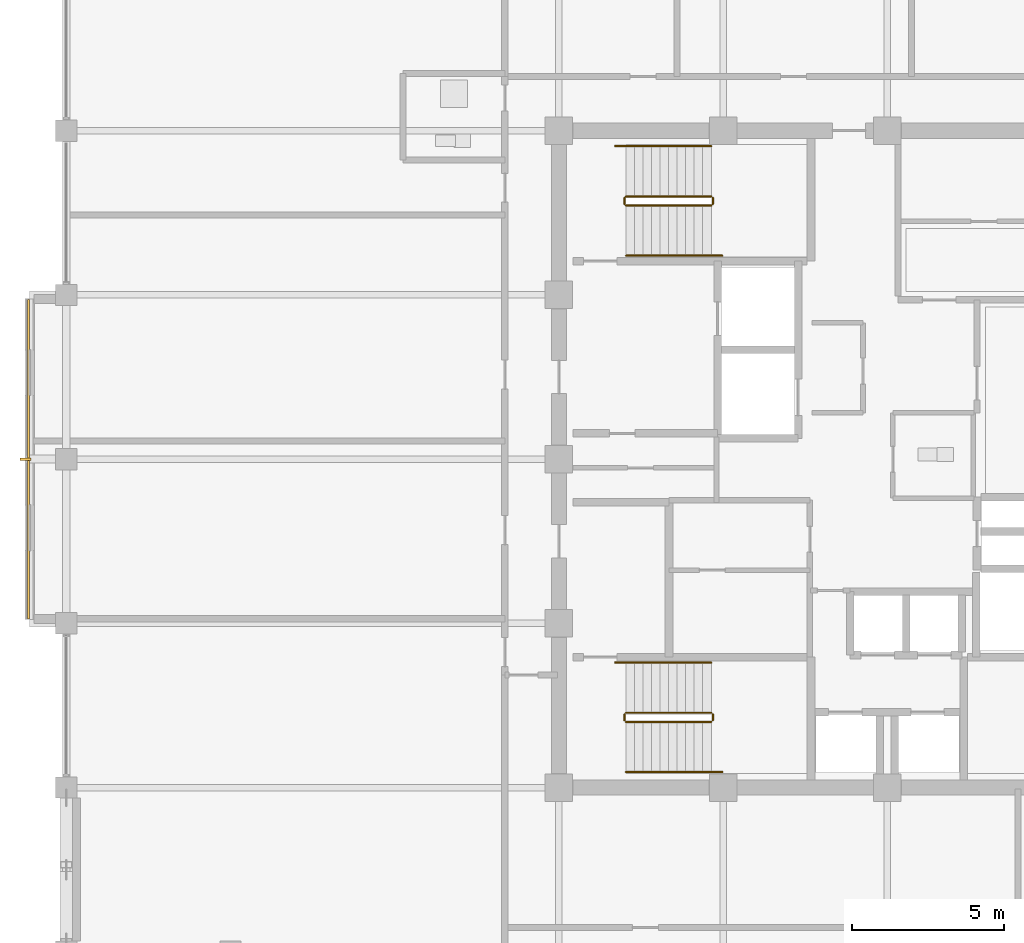
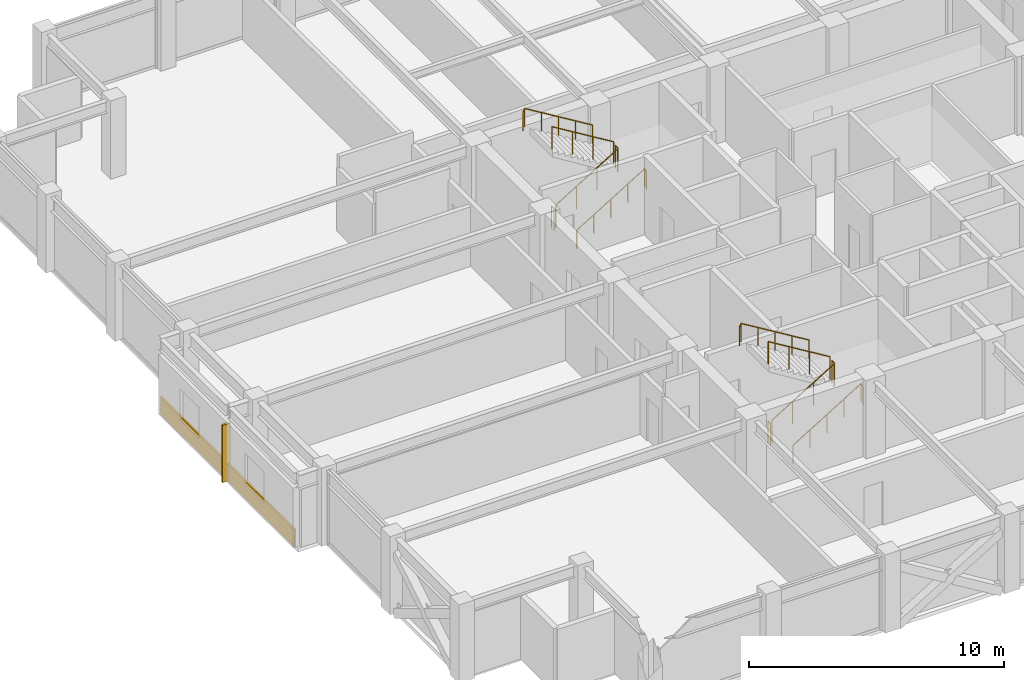
# One storey, part 27 of 29: 12 railings, 1 covering, 1 shading device.
"""IFC4 building model written with IfcOpenShell, lengths in metres."""

import ifcopenshell
import ifcopenshell.guid

model = None  # the IFC model being written
_history = None  # IfcOwnerHistory: only IFC2X3 demands one
_inside = {}  # id of a spatial element -> (the spatial element, [elements in it])
_under = {}  # id of a project, library or spatial element -> (it, [spatial elements below it])
_declared = {}  # id of a project -> (the project, [libraries it declares])
_typed = {}  # id of a type object -> (the type object, [elements of that type])
_made_of = {}  # id of a material, layer set ... -> (it, [elements and type objects made of it])


def new_model(schema):
    """Start an empty IFC model of exactly this schema.

    Asked for "IFC4X3", IfcOpenShell would pick the latest addendum, in which some entities
    have other attributes; the version numbers below select the first issue.
    IFC2X3 requires an IfcOwnerHistory on every rooted entity: one is made here for all.
    """
    global model, _history
    if schema == "IFC4X3":
        model = ifcopenshell.file(schema_version=(4, 3, 0, 0))
    else:
        model = ifcopenshell.file(schema=schema)
    _inside.clear()
    _under.clear()
    _declared.clear()
    _typed.clear()
    _made_of.clear()
    _history = None
    if model.schema == "IFC2X3":
        org = make("IfcOrganization", Name="unknown")
        user = make(
            "IfcPersonAndOrganization",
            ThePerson=make("IfcPerson", FamilyName="unknown"),
            TheOrganization=org,
        )
        app = make(
            "IfcApplication",
            ApplicationDeveloper=org,
            Version="unknown",
            ApplicationFullName="unknown",
            ApplicationIdentifier="unknown",
        )
        _history = make(
            "IfcOwnerHistory",
            OwningUser=user,
            OwningApplication=app,
            ChangeAction="ADDED",
            CreationDate=0,
        )
    return model


def make(cls, **values):
    """One entity of the class cls with the attributes given. An attribute that is None is left unset."""
    return model.create_entity(
        cls, **{name: value for name, value in values.items() if value is not None}
    )


def rooted(cls, **values):
    """An entity with a GlobalId (a new one), such as an element, a storey or a relation."""
    return make(cls, GlobalId=ifcopenshell.guid.new(), OwnerHistory=_history, **values)


def si_unit(unit_type, name, prefix=None):
    """IfcSIUnit, for example si_unit("LENGTHUNIT", "METRE", prefix="MILLI")."""
    return make("IfcSIUnit", UnitType=unit_type, Prefix=prefix, Name=name)


def assignment(units):
    """IfcUnitAssignment: the units of a project."""
    return None if units is None else make("IfcUnitAssignment", Units=units)


def point(xyz):
    """IfcCartesianPoint."""
    return None if xyz is None else make("IfcCartesianPoint", Coordinates=xyz)


def direction(xyz):
    """IfcDirection."""
    return None if xyz is None else make("IfcDirection", DirectionRatios=xyz)


def frame(location, z_axis=None, x_axis=None):
    """IfcAxis2Placement3D, a coordinate frame: its origin and axes. An axis left out is left unset."""
    return make(
        "IfcAxis2Placement3D",
        Location=point(location),
        Axis=direction(z_axis),
        RefDirection=direction(x_axis),
    )


def frame_2d(location, x_axis=None):
    """IfcAxis2Placement2D, a coordinate frame in the plane: its origin and x axis."""
    return make(
        "IfcAxis2Placement2D", Location=point(location), RefDirection=direction(x_axis)
    )


def origin():
    """The frame at (0, 0, 0) with its axes left unset."""
    return frame((0.0, 0.0, 0.0))


def origin_2d():
    """The frame at (0, 0) in the plane with its x axis left unset."""
    return frame_2d((0.0, 0.0))


def place(relative_to, where):
    """IfcLocalPlacement: puts the frame where relative to a parent placement (None: the world)."""
    return make(
        "IfcLocalPlacement", PlacementRelTo=relative_to, RelativePlacement=where
    )


def context(
    kind, dimensions, precision=None, world=None, true_north=None, identifier=None
):
    """IfcGeometricRepresentationContext, for example the 3D "Model" context."""
    return make(
        "IfcGeometricRepresentationContext",
        ContextIdentifier=identifier,
        ContextType=kind,
        CoordinateSpaceDimension=dimensions,
        Precision=precision,
        WorldCoordinateSystem=world,
        TrueNorth=true_north,
    )


def subcontext(parent, identifier, kind, view, scale=None):
    """IfcGeometricRepresentationSubContext, for example "Body" below "Model"."""
    return make(
        "IfcGeometricRepresentationSubContext",
        ContextIdentifier=identifier,
        ContextType=kind,
        ParentContext=parent,
        TargetScale=scale,
        TargetView=view,
    )


def project(units=None, contexts=None):
    """IfcProject with its units and contexts."""
    return rooted(
        "IfcProject",
        Name="project",
        RepresentationContexts=contexts,
        UnitsInContext=assignment(units),
    )


def spatial(cls, under=None, at=None, **own):
    """A site, building, storey or space (cls), placed at a placement, below another one or the project."""
    s = rooted(cls, ObjectPlacement=at, **own)
    if under is not None:
        _under.setdefault(under.id(), (under, []))[1].append(s)
    return s


def profile(cls, at=None, kind="AREA", **sizes):
    """A parametric profile (cls). Its sizes go by their IFC names, for example OverallWidth=200.0."""
    return make(cls, ProfileType=kind, Position=at, **sizes)


def rectangle(**sizes):
    """IfcRectangleProfileDef."""
    return profile("IfcRectangleProfileDef", **sizes)


def circle(**sizes):
    """IfcCircleProfileDef."""
    return profile("IfcCircleProfileDef", **sizes)


def extrude(swept, where, along, depth):
    """IfcExtrudedAreaSolid: the profile swept, set in the frame where, extruded along a direction by depth."""
    return make(
        "IfcExtrudedAreaSolid",
        SweptArea=swept,
        Position=where,
        ExtrudedDirection=direction(along),
        Depth=depth,
    )


def shape(context_of_items, identifier, shape_type, items):
    """IfcShapeRepresentation: the items that make up one representation, for example the "Body"."""
    return make(
        "IfcShapeRepresentation",
        ContextOfItems=context_of_items,
        RepresentationIdentifier=identifier,
        RepresentationType=shape_type,
        Items=items,
    )


def material(Name=None, Category=None):
    """IfcMaterial."""
    return make("IfcMaterial", Name=Name, Category=Category)


def layer(
    of_material, thickness, ventilated=None, Name=None, Category=None, Priority=None
):
    """IfcMaterialLayer: one layer of a wall or slab, of a material (None: an air gap)."""
    return make(
        "IfcMaterialLayer",
        Material=of_material,
        LayerThickness=thickness,
        IsVentilated=ventilated,
        Name=Name,
        Category=Category,
        Priority=Priority,
    )


def layer_set(layers, Name=None):
    """IfcMaterialLayerSet."""
    return make("IfcMaterialLayerSet", MaterialLayers=layers, LayerSetName=Name)


def made_of(thing, what):
    """Note that an element or type object is made of a material, layer set ...; save() writes the relation."""
    if what is not None:
        _made_of.setdefault(what.id(), (what, []))[1].append(thing)
    return thing


def type_object(cls, material=None, **own):
    """A type object (cls), such as IfcWallType, which elements share."""
    return made_of(rooted(cls, **own), material)


def element(
    cls,
    number,
    at=None,
    inside=None,
    cuts=None,
    type_object=None,
    material=None,
    context=None,
    identifier="Body",
    shape_type=None,
    held_by="IfcProductDefinitionShape",
    body=None,
    shapes=None,
    **own,
):
    """One element of the class cls, such as IfcWall. Its Tag is "e" and its number.

    at: its placement. inside: the storey or other place that contains it. cuts: it is an
    opening in that element (IfcRelVoidsElement). A single representation is given by context,
    identifier, shape_type and body (its items); several are given by shapes. held_by: the class
    of the entity that holds the representations. save() writes the other relations.
    """
    e = rooted(cls, Tag="e%d" % number, ObjectPlacement=at, **own)
    if body is not None:
        shapes = [shape(context, identifier, shape_type, body)]
    if shapes is not None:
        e.Representation = make(held_by, Representations=shapes)
    if inside is not None:
        _inside.setdefault(inside.id(), (inside, []))[1].append(e)
    if cuts is not None:
        rooted(
            "IfcRelVoidsElement", RelatingBuildingElement=cuts, RelatedOpeningElement=e
        )
    if type_object is not None:
        _typed.setdefault(type_object.id(), (type_object, []))[1].append(e)
    return made_of(e, material)


def aggregate(whole, parts):
    """IfcRelAggregates: a whole, such as a stair, and the parts it consists of."""
    return rooted("IfcRelAggregates", RelatingObject=whole, RelatedObjects=parts)


def save(model, path):
    """Write the relations noted so far, then the file.

    IfcRelAggregates (storeys below a building ...), IfcRelContainedInSpatialStructure (elements
    in a storey), IfcRelDefinesByType, IfcRelAssociatesMaterial and IfcRelDeclares: one each for
    every whole, place, type object, material and project.
    """
    for whole, parts in _under.values():
        aggregate(whole, parts)
    for where, things in _inside.values():
        rooted(
            "IfcRelContainedInSpatialStructure",
            RelatedElements=things,
            RelatingStructure=where,
        )
    for kind, things in _typed.values():
        rooted("IfcRelDefinesByType", RelatedObjects=things, RelatingType=kind)
    for what, things in _made_of.values():
        rooted("IfcRelAssociatesMaterial", RelatedObjects=things, RelatingMaterial=what)
    for by, libraries in _declared.values():
        rooted("IfcRelDeclares", RelatingContext=by, RelatedDefinitions=libraries)
    model.write(path)


model = new_model("IFC4")

# Units and contexts
model_context = context("Model", 3, precision=1e-05, world=origin(), true_north=direction((0.0, 1.0)))
body_context = subcontext(model_context, "Body", "Model", "MODEL_VIEW")
ifc_project = project(units=[si_unit("LENGTHUNIT", "METRE"), si_unit("AREAUNIT", "SQUARE_METRE"), si_unit("VOLUMEUNIT", "CUBIC_METRE"), si_unit("PLANEANGLEUNIT", "RADIAN"), si_unit("MASSUNIT", "GRAM", prefix="KILO")], contexts=[model_context])

# Site, building, storey
site_placement = place(None, origin())
site = spatial("IfcSite", under=ifc_project, at=site_placement, CompositionType="ELEMENT")
building_placement = place(site_placement, origin())
building = spatial("IfcBuilding", under=site, at=building_placement, Name="Surkhivell Harbour Commons", CompositionType="ELEMENT")
storey_placement = place(building_placement, frame((0.0, 0.0, 277.5)))
storey = spatial("IfcBuildingStorey", under=building, at=storey_placement, Name="L72", CompositionType="ELEMENT", Elevation=277.5)

# Covering
ifc_material_1 = material(Name="Emerald-teal enamelled aluminium cassette panel", Category="aluminium")
ifc_layer = layer(ifc_material_1, 0.068115234375)
ifc_layer_set = layer_set([ifc_layer], Name="Emerald-teal enamelled aluminium cassette panel")
covering_type = type_object("IfcCoveringType", Name="COV-CLAD-EME", PredefinedType="CLADDING", material=ifc_layer_set)
covering_placement = place(storey_placement, frame((-28.239990234375, 0.0, 0.0), z_axis=(0.0, 0.0, 1.0), x_axis=(1.0, 0.0, 0.0)))
element("IfcCovering", 1, at=covering_placement, inside=storey, type_object=covering_type, Name="L72 Coloured-Panel Box Spandrel Cassette 02", PredefinedType="CLADDING", context=body_context, shape_type="SweptSolid", body=[
    extrude(rectangle(XDim=0.080078125, YDim=10.5, at=origin_2d()), origin(), (0.0, 0.0, 1.0), 0.840087890625),
])

# Railings
ifc_material_2 = material(Name="Galvanised and painted steel S355 guard rail", Category="steel")
railing_type_1 = type_object("IfcRailingType", Name="RAL-ST-GRD1100", PredefinedType="GUARDRAIL", material=ifc_material_2)
railing_1_placement = place(storey_placement, frame((-8.590087890625, 8.340087890625, 0.17041015625)))
element("IfcRailing", 2, at=railing_1_placement, inside=storey, type_object=railing_type_1, Name="L72 ST1 stair guard 1", PredefinedType="GUARDRAIL", context=body_context, shape_type="SweptSolid", body=[
    extrude(circle(Radius=0.02392578125, at=origin_2d()), frame((0.0, 0.0, 1.076171875), z_axis=(0.854169791009, 0.0, 0.51999420009), x_axis=(0.0, 1.0, 0.0)), (0.0, 0.0, 1.0), 3.278076171875),
    extrude(circle(Radius=0.02099609375, at=origin_2d()), origin(), (0.0, 0.0, 1.0), 1.052001953125),
    extrude(circle(Radius=0.02099609375, at=origin_2d()), frame((0.933349609375, 0.0, 0.568115234375)), (0.0, 0.0, 1.0), 1.052001953125),
    extrude(circle(Radius=0.02099609375, at=origin_2d()), frame((1.86669921875, 0.0, 1.136474609375)), (0.0, 0.0, 1.0), 1.052001953125),
    extrude(circle(Radius=0.02099609375, at=origin_2d()), frame((2.800048828125, 0.0, 1.70458984375)), (0.0, 0.0, 1.0), 1.052001953125),
])
railing_2_placement = place(storey_placement, frame((-5.739990234375, 8.389892578125, 1.875)))
element("IfcRailing", 3, at=railing_2_placement, inside=storey, type_object=railing_type_1, Name="L72 ST1 stair guard 2", PredefinedType="GUARDRAIL", context=body_context, shape_type="SweptSolid", body=[
    extrude(circle(Radius=0.02392578125, at=origin_2d()), frame((0.0, 0.0, 1.076171875), z_axis=(0.0, 1.0, 0.0), x_axis=(-1.0, 0.0, 0.0)), (0.0, 0.0, 1.0), 0.2001953125),
    extrude(circle(Radius=0.02099609375, at=origin_2d()), origin(), (0.0, 0.0, 1.0), 1.052001953125),
    extrude(circle(Radius=0.02099609375, at=origin_2d()), frame((0.0, 0.2001953125, 0.0)), (0.0, 0.0, 1.0), 1.052001953125),
])
railing_3_placement = place(storey_placement, frame((-5.7900390625, 8.639892578125, 2.04541015625)))
element("IfcRailing", 4, at=railing_3_placement, inside=storey, type_object=railing_type_1, Name="L72 ST1 stair guard 3", PredefinedType="GUARDRAIL", context=body_context, shape_type="SweptSolid", body=[
    extrude(circle(Radius=0.02392578125, at=origin_2d()), frame((0.0, 0.0, 1.076171875), z_axis=(-0.854169791009, 0.0, 0.51999420009), x_axis=(0.0, -1.0, 0.0)), (0.0, 0.0, 1.0), 3.278076171875),
    extrude(circle(Radius=0.02099609375, at=origin_2d()), origin(), (0.0, 0.0, 1.0), 1.052001953125),
    extrude(circle(Radius=0.02099609375, at=origin_2d()), frame((-0.933349609375, 0.0, 0.568115234375)), (0.0, 0.0, 1.0), 1.052001953125),
    extrude(circle(Radius=0.02099609375, at=origin_2d()), frame((-1.86669921875, 0.0, 1.136474609375)), (0.0, 0.0, 1.0), 1.052001953125),
    extrude(circle(Radius=0.02099609375, at=origin_2d()), frame((-2.800048828125, 0.0, 1.70458984375)), (0.0, 0.0, 1.0), 1.052001953125),
])
railing_4_placement = place(storey_placement, frame((-8.639892578125, 8.389892578125, 0.0)))
element("IfcRailing", 5, at=railing_4_placement, inside=storey, type_object=railing_type_1, Name="L72 ST1 stair guard 4", PredefinedType="GUARDRAIL", context=body_context, shape_type="SweptSolid", body=[
    extrude(circle(Radius=0.02392578125, at=origin_2d()), frame((0.0, 0.0, 1.076171875), z_axis=(0.0, 1.0, 0.0), x_axis=(-1.0, 0.0, 0.0)), (0.0, 0.0, 1.0), 0.2001953125),
    extrude(circle(Radius=0.02099609375, at=origin_2d()), origin(), (0.0, 0.0, 1.0), 1.052001953125),
    extrude(circle(Radius=0.02099609375, at=origin_2d()), frame((0.0, 0.2001953125, 0.0)), (0.0, 0.0, 1.0), 1.052001953125),
])
railing_5_placement = place(storey_placement, frame((-8.590087890625, -8.639892578125, 0.17041015625)))
element("IfcRailing", 6, at=railing_5_placement, inside=storey, type_object=railing_type_1, Name="L72 ST3 stair guard 1", PredefinedType="GUARDRAIL", context=body_context, shape_type="SweptSolid", body=[
    extrude(circle(Radius=0.02392578125, at=origin_2d()), frame((0.0, 0.0, 1.076171875), z_axis=(0.854169791009, 0.0, 0.51999420009), x_axis=(0.0, 1.0, 0.0)), (0.0, 0.0, 1.0), 3.278076171875),
    extrude(circle(Radius=0.02099609375, at=origin_2d()), origin(), (0.0, 0.0, 1.0), 1.052001953125),
    extrude(circle(Radius=0.02099609375, at=origin_2d()), frame((0.933349609375, 0.0, 0.568115234375)), (0.0, 0.0, 1.0), 1.052001953125),
    extrude(circle(Radius=0.02099609375, at=origin_2d()), frame((1.86669921875, 0.0, 1.136474609375)), (0.0, 0.0, 1.0), 1.052001953125),
    extrude(circle(Radius=0.02099609375, at=origin_2d()), frame((2.800048828125, 0.0, 1.70458984375)), (0.0, 0.0, 1.0), 1.052001953125),
])
railing_6_placement = place(storey_placement, frame((-5.739990234375, -8.590087890625, 1.875)))
element("IfcRailing", 7, at=railing_6_placement, inside=storey, type_object=railing_type_1, Name="L72 ST3 stair guard 2", PredefinedType="GUARDRAIL", context=body_context, shape_type="SweptSolid", body=[
    extrude(circle(Radius=0.02392578125, at=origin_2d()), frame((0.0, 0.0, 1.076171875), z_axis=(0.0, 1.0, 0.0), x_axis=(-1.0, 0.0, 0.0)), (0.0, 0.0, 1.0), 0.2001953125),
    extrude(circle(Radius=0.02099609375, at=origin_2d()), origin(), (0.0, 0.0, 1.0), 1.052001953125),
    extrude(circle(Radius=0.02099609375, at=origin_2d()), frame((0.0, 0.2001953125, 0.0)), (0.0, 0.0, 1.0), 1.052001953125),
])
railing_7_placement = place(storey_placement, frame((-5.7900390625, -8.340087890625, 2.04541015625)))
element("IfcRailing", 8, at=railing_7_placement, inside=storey, type_object=railing_type_1, Name="L72 ST3 stair guard 3", PredefinedType="GUARDRAIL", context=body_context, shape_type="SweptSolid", body=[
    extrude(circle(Radius=0.02392578125, at=origin_2d()), frame((0.0, 0.0, 1.076171875), z_axis=(-0.854169791009, 0.0, 0.51999420009), x_axis=(0.0, -1.0, 0.0)), (0.0, 0.0, 1.0), 3.278076171875),
    extrude(circle(Radius=0.02099609375, at=origin_2d()), origin(), (0.0, 0.0, 1.0), 1.052001953125),
    extrude(circle(Radius=0.02099609375, at=origin_2d()), frame((-0.933349609375, 0.0, 0.568115234375)), (0.0, 0.0, 1.0), 1.052001953125),
    extrude(circle(Radius=0.02099609375, at=origin_2d()), frame((-1.86669921875, 0.0, 1.136474609375)), (0.0, 0.0, 1.0), 1.052001953125),
    extrude(circle(Radius=0.02099609375, at=origin_2d()), frame((-2.800048828125, 0.0, 1.70458984375)), (0.0, 0.0, 1.0), 1.052001953125),
])
railing_8_placement = place(storey_placement, frame((-8.639892578125, -8.590087890625, 0.0)))
element("IfcRailing", 9, at=railing_8_placement, inside=storey, type_object=railing_type_1, Name="L72 ST3 stair guard 4", PredefinedType="GUARDRAIL", context=body_context, shape_type="SweptSolid", body=[
    extrude(circle(Radius=0.02392578125, at=origin_2d()), frame((0.0, 0.0, 1.076171875), z_axis=(0.0, 1.0, 0.0), x_axis=(-1.0, 0.0, 0.0)), (0.0, 0.0, 1.0), 0.2001953125),
    extrude(circle(Radius=0.02099609375, at=origin_2d()), origin(), (0.0, 0.0, 1.0), 1.052001953125),
    extrude(circle(Radius=0.02099609375, at=origin_2d()), frame((0.0, 0.2001953125, 0.0)), (0.0, 0.0, 1.0), 1.052001953125),
])
ifc_material_3 = material(Name="Brushed stainless steel S355 handrail", Category="steel")
railing_type_2 = type_object("IfcRailingType", Name="RAL-ST-HND900", PredefinedType="HANDRAIL", material=ifc_material_3)
railing_9_placement = place(storey_placement, frame((-8.590087890625, 6.68994140625, 0.17041015625)))
element("IfcRailing", 10, at=railing_9_placement, inside=storey, type_object=railing_type_2, Name="L72 ST1 stair handrail 1", PredefinedType="HANDRAIL", context=body_context, shape_type="SweptSolid", body=[
    extrude(circle(Radius=0.02392578125, at=origin_2d()), frame((0.0, 0.0, 0.8759765625), z_axis=(0.854177636135, 0.0, 0.519981313056), x_axis=(0.0, 1.0, 0.0)), (0.0, 0.0, 1.0), 3.60595703125),
    extrude(circle(Radius=0.02392578125, at=origin_2d()), frame((3.080078125, 0.0, 2.7509765625), z_axis=(0.425297416671, 0.0, -0.905053648892), x_axis=(0.0, 1.0, 0.0)), (0.0, 0.0, 1.0), 0.188232421875),
    extrude(circle(Radius=0.02099609375, at=origin_2d()), origin(), (0.0, 0.0, 1.0), 0.851806640625),
    extrude(circle(Radius=0.02099609375, at=origin_2d()), frame((0.77001953125, 0.0, 0.46875)), (0.0, 0.0, 1.0), 0.851806640625),
    extrude(circle(Radius=0.02099609375, at=origin_2d()), frame((1.5400390625, 0.0, 0.9375)), (0.0, 0.0, 1.0), 0.851806640625),
    extrude(circle(Radius=0.02099609375, at=origin_2d()), frame((2.31005859375, 0.0, 1.40625)), (0.0, 0.0, 1.0), 0.851806640625),
    extrude(circle(Radius=0.02099609375, at=origin_2d()), frame((3.080078125, 0.0, 1.875)), (0.0, 0.0, 1.0), 0.851806640625),
    extrude(circle(Radius=0.02099609375, at=origin_2d()), frame((3.16015625, 0.0, 1.70458984375)), (0.0, 0.0, 1.0), 0.851806640625),
])
railing_10_placement = place(storey_placement, frame((-5.7900390625, 10.2900390625, 2.04541015625)))
element("IfcRailing", 11, at=railing_10_placement, inside=storey, type_object=railing_type_2, Name="L72 ST1 stair handrail 2", PredefinedType="HANDRAIL", context=body_context, shape_type="SweptSolid", body=[
    extrude(circle(Radius=0.02392578125, at=origin_2d()), frame((0.0, 0.0, 0.8759765625), z_axis=(-0.854177636135, 0.0, 0.519981313056), x_axis=(0.0, -1.0, 0.0)), (0.0, 0.0, 1.0), 3.60595703125),
    extrude(circle(Radius=0.02392578125, at=origin_2d()), frame((-3.080078125, 0.0, 2.7509765625), z_axis=(-0.424234432967, 0.0, -0.905552398199), x_axis=(0.0, -1.0, 0.0)), (0.0, 0.0, 1.0), 0.188232421875),
    extrude(circle(Radius=0.02099609375, at=origin_2d()), origin(), (0.0, 0.0, 1.0), 0.851806640625),
    extrude(circle(Radius=0.02099609375, at=origin_2d()), frame((-0.77001953125, 0.0, 0.46875)), (0.0, 0.0, 1.0), 0.851806640625),
    extrude(circle(Radius=0.02099609375, at=origin_2d()), frame((-1.5400390625, 0.0, 0.9375)), (0.0, 0.0, 1.0), 0.851806640625),
    extrude(circle(Radius=0.02099609375, at=origin_2d()), frame((-2.31005859375, 0.0, 1.40625)), (0.0, 0.0, 1.0), 0.851806640625),
    extrude(circle(Radius=0.02099609375, at=origin_2d()), frame((-3.080078125, 0.0, 1.875)), (0.0, 0.0, 1.0), 0.851806640625),
    extrude(circle(Radius=0.02099609375, at=origin_2d()), frame((-3.159912109375, 0.0, 1.70458984375)), (0.0, 0.0, 1.0), 0.851806640625),
])
railing_11_placement = place(storey_placement, frame((-8.590087890625, -10.2900390625, 0.17041015625)))
element("IfcRailing", 12, at=railing_11_placement, inside=storey, type_object=railing_type_2, Name="L72 ST3 stair handrail 1", PredefinedType="HANDRAIL", context=body_context, shape_type="SweptSolid", body=[
    extrude(circle(Radius=0.02392578125, at=origin_2d()), frame((0.0, 0.0, 0.8759765625), z_axis=(0.854177636135, 0.0, 0.519981313056), x_axis=(0.0, 1.0, 0.0)), (0.0, 0.0, 1.0), 3.60595703125),
    extrude(circle(Radius=0.02392578125, at=origin_2d()), frame((3.080078125, 0.0, 2.7509765625), z_axis=(0.425297416671, 0.0, -0.905053648892), x_axis=(0.0, 1.0, 0.0)), (0.0, 0.0, 1.0), 0.188232421875),
    extrude(circle(Radius=0.02099609375, at=origin_2d()), origin(), (0.0, 0.0, 1.0), 0.851806640625),
    extrude(circle(Radius=0.02099609375, at=origin_2d()), frame((0.77001953125, 0.0, 0.46875)), (0.0, 0.0, 1.0), 0.851806640625),
    extrude(circle(Radius=0.02099609375, at=origin_2d()), frame((1.5400390625, 0.0, 0.9375)), (0.0, 0.0, 1.0), 0.851806640625),
    extrude(circle(Radius=0.02099609375, at=origin_2d()), frame((2.31005859375, 0.0, 1.40625)), (0.0, 0.0, 1.0), 0.851806640625),
    extrude(circle(Radius=0.02099609375, at=origin_2d()), frame((3.080078125, 0.0, 1.875)), (0.0, 0.0, 1.0), 0.851806640625),
    extrude(circle(Radius=0.02099609375, at=origin_2d()), frame((3.16015625, 0.0, 1.70458984375)), (0.0, 0.0, 1.0), 0.851806640625),
])
railing_12_placement = place(storey_placement, frame((-5.7900390625, -6.68994140625, 2.04541015625)))
element("IfcRailing", 13, at=railing_12_placement, inside=storey, type_object=railing_type_2, Name="L72 ST3 stair handrail 2", PredefinedType="HANDRAIL", context=body_context, shape_type="SweptSolid", body=[
    extrude(circle(Radius=0.02392578125, at=origin_2d()), frame((0.0, 0.0, 0.8759765625), z_axis=(-0.854177636135, 0.0, 0.519981313056), x_axis=(0.0, -1.0, 0.0)), (0.0, 0.0, 1.0), 3.60595703125),
    extrude(circle(Radius=0.02392578125, at=origin_2d()), frame((-3.080078125, 0.0, 2.7509765625), z_axis=(-0.424234432967, 0.0, -0.905552398199), x_axis=(0.0, -1.0, 0.0)), (0.0, 0.0, 1.0), 0.188232421875),
    extrude(circle(Radius=0.02099609375, at=origin_2d()), origin(), (0.0, 0.0, 1.0), 0.851806640625),
    extrude(circle(Radius=0.02099609375, at=origin_2d()), frame((-0.77001953125, 0.0, 0.46875)), (0.0, 0.0, 1.0), 0.851806640625),
    extrude(circle(Radius=0.02099609375, at=origin_2d()), frame((-1.5400390625, 0.0, 0.9375)), (0.0, 0.0, 1.0), 0.851806640625),
    extrude(circle(Radius=0.02099609375, at=origin_2d()), frame((-2.31005859375, 0.0, 1.40625)), (0.0, 0.0, 1.0), 0.851806640625),
    extrude(circle(Radius=0.02099609375, at=origin_2d()), frame((-3.080078125, 0.0, 1.875)), (0.0, 0.0, 1.0), 0.851806640625),
    extrude(circle(Radius=0.02099609375, at=origin_2d()), frame((-3.159912109375, 0.0, 1.70458984375)), (0.0, 0.0, 1.0), 0.851806640625),
])

# Shading device
ifc_material_4 = material(Name="Anodised pale-metal aluminium solar fin", Category="aluminium")
shading_device_type = type_object("IfcShadingDeviceType", Name="SHD-FIN-VERT", PredefinedType="USERDEFINED", material=ifc_material_4)
shading_device_placement = place(storey_placement, frame((-28.340087890625, 0.0, 0.0048828125), z_axis=(0.0, 0.0, 1.0), x_axis=(1.0, 0.0, 0.0)))
element("IfcShadingDevice", 14, at=shading_device_placement, inside=storey, type_object=shading_device_type, Name="L72 Coloured-Box Solar Fin 02", ObjectType="FIN", PredefinedType="USERDEFINED", context=body_context, shape_type="SweptSolid", body=[
    extrude(rectangle(XDim=0.360107421875, YDim=0.090087890625, at=origin_2d()), origin(), (0.0, 0.0, 1.0), 2.75),
])

save(model, "model.ifc")
